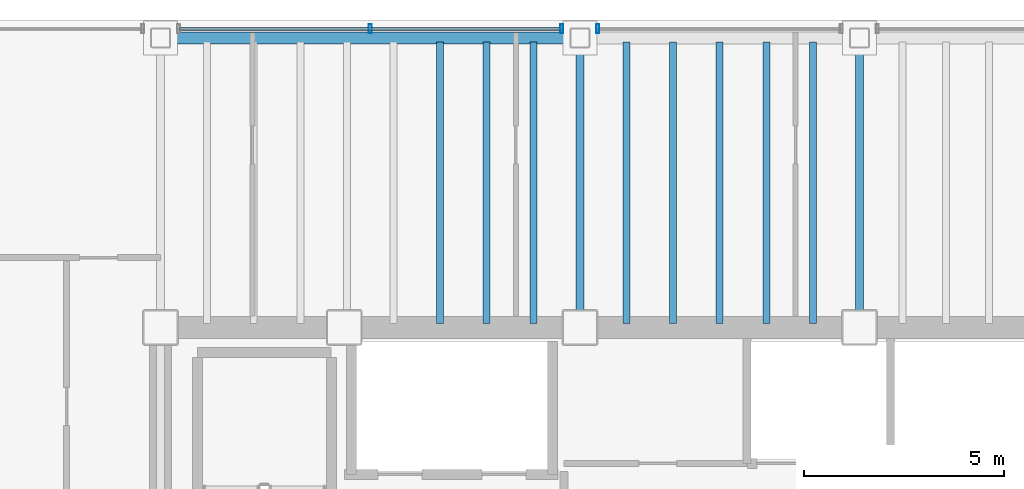
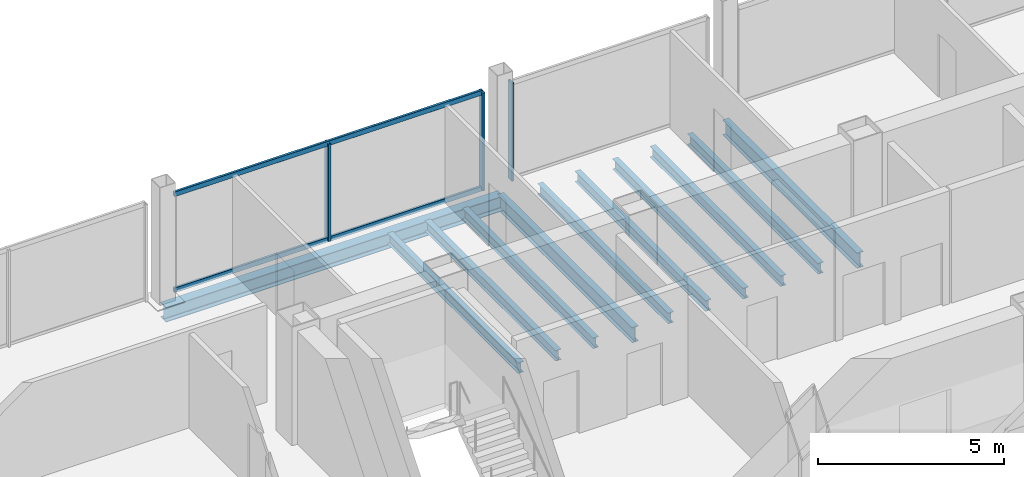
# One storey, part 9 of 19: 11 beams, 5 members, 2 elements without a shape of their own.
"""IFC4 building model written with IfcOpenShell, lengths in metres."""

from ifc_helpers import new_model, si_unit, direction, frame, origin, origin_2d, place, context, subcontext, project, spatial, hollow_rectangle, i_section, extrude, material, material_profile, profile_set, type_object, element, aggregate, save


model = new_model("IFC4")

# Units and contexts
model_context = context("Model", 3, precision=1e-05, world=origin(), true_north=direction((0.0, 1.0)))
body_context = subcontext(model_context, "Body", "Model", "MODEL_VIEW")
ifc_project = project(units=[si_unit("LENGTHUNIT", "METRE"), si_unit("AREAUNIT", "SQUARE_METRE"), si_unit("VOLUMEUNIT", "CUBIC_METRE"), si_unit("PLANEANGLEUNIT", "RADIAN"), si_unit("MASSUNIT", "GRAM", prefix="KILO")], contexts=[model_context])

# Site, building, storey
site_placement = place(None, origin())
site = spatial("IfcSite", under=ifc_project, at=site_placement, CompositionType="ELEMENT")
building_placement = place(site_placement, origin())
building = spatial("IfcBuilding", under=site, at=building_placement, Name="Noeulbin Bourse Tower", CompositionType="ELEMENT")
storey_placement = place(building_placement, frame((0.0, 0.0, 157.800048828125)))
storey = spatial("IfcBuildingStorey", under=building, at=storey_placement, Name="L39", CompositionType="ELEMENT", Elevation=157.800048828125)

# Beams
ifc_material_1 = material(Name="Steel S355", Category="steel")
ifc_material_profile_1 = material_profile(ifc_material_1, i_section(OverallWidth=0.199951171875, OverallDepth=0.5, WebThickness=0.010009765625, FlangeThickness=0.01611328125, FilletRadius=0.02001953125, at=origin_2d()), Name="H-500x200x10x16", Category="LoadBearing")
ifc_profile_set_1 = profile_set([ifc_material_profile_1], Name="Steel S355")
beam_type_1 = type_object("IfcBeamType", Name="BM-GRD-500", PredefinedType="USERDEFINED", material=ifc_profile_set_1)
for number, where, z_axis, x_axis, name in (
    (1, (24.0, 38.300048828125, -0.429931640625), (0.0, 1.0, 0.0), (-1.0, 0.0, 0.0), "Tower Primary Girder NS L39-2.4"),
    (2, (31.0, 38.300048828125, -0.429931640625), (0.0, 1.0, 0.0), (-1.0, 0.0, 0.0), "Tower Primary Girder NS L39-3.4"),
):
    element("IfcBeam", number, at=place(storey_placement, frame(where, z_axis=z_axis, x_axis=x_axis)), inside=storey, type_object=beam_type_1, Name=name, ObjectType="GIRDER", PredefinedType="USERDEFINED", context=body_context, shape_type="SweptSolid", body=[
        extrude(i_section(OverallWidth=0.199951171875, OverallDepth=0.5, WebThickness=0.010009765625, FlangeThickness=0.01611328125, FilletRadius=0.02001953125, at=origin_2d()), origin(), (0.0, 0.0, 1.0), 7.25),
    ])
ifc_material_profile_2 = material_profile(ifc_material_1, i_section(OverallWidth=0.175048828125, OverallDepth=0.35009765625, WebThickness=0.007080078125, FlangeThickness=0.010986328125, FilletRadius=0.013916015625, at=origin_2d()), Name="H-350x175x7x11", Category="LoadBearing")
ifc_profile_set_2 = profile_set([ifc_material_profile_2], Name="Steel S355")
beam_type_2 = type_object("IfcBeamType", Name="BM-JST-350", PredefinedType="JOIST", material=ifc_profile_set_2)
for number, where, z_axis, x_axis, name in (
    (3, (20.5, 38.39990234375, -0.35498046875), (0.0, 1.0, 0.0), (-1.0, 0.0, 0.0), "Tower Composite Joist L39-18"),
    (4, (21.666748046875, 38.39990234375, -0.35498046875), (0.0, 1.0, 0.0), (-1.0, 0.0, 0.0), "Tower Composite Joist L39-21"),
    (5, (22.833251953125, 38.39990234375, -0.35498046875), (0.0, 1.0, 0.0), (-1.0, 0.0, 0.0), "Tower Composite Joist L39-24"),
    (6, (25.166748046875, 38.39990234375, -0.35498046875), (0.0, 1.0, 0.0), (-1.0, 0.0, 0.0), "Tower Composite Joist L39-27"),
    (7, (26.333251953125, 38.39990234375, -0.35498046875), (0.0, 1.0, 0.0), (-1.0, 0.0, 0.0), "Tower Composite Joist L39-30"),
    (8, (27.5, 38.39990234375, -0.35498046875), (0.0, 1.0, 0.0), (-1.0, 0.0, 0.0), "Tower Composite Joist L39-33"),
    (9, (28.666748046875, 38.39990234375, -0.35498046875), (0.0, 1.0, 0.0), (-1.0, 0.0, 0.0), "Tower Composite Joist L39-36"),
    (10, (29.833251953125, 38.39990234375, -0.35498046875), (0.0, 1.0, 0.0), (-1.0, 0.0, 0.0), "Tower Composite Joist L39-39"),
):
    element("IfcBeam", number, at=place(storey_placement, frame(where, z_axis=z_axis, x_axis=x_axis)), inside=storey, type_object=beam_type_2, Name=name, PredefinedType="JOIST", context=body_context, shape_type="SweptSolid", body=[
        extrude(i_section(OverallWidth=0.175048828125, OverallDepth=0.35009765625, WebThickness=0.007080078125, FlangeThickness=0.010986328125, FilletRadius=0.013916015625, at=origin_2d()), origin(), (0.0, 0.0, 1.0), 7.050048828125),
    ])
ifc_material_profile_3 = material_profile(ifc_material_1, i_section(OverallWidth=0.300048828125, OverallDepth=0.488037109375, WebThickness=0.010986328125, FlangeThickness=0.01806640625, FilletRadius=0.02197265625, at=origin_2d()), Name="H-488x300x11x18", Category="LoadBearing")
ifc_profile_set_3 = profile_set([ifc_material_profile_3], Name="Steel S355")
beam_type_3 = type_object("IfcBeamType", Name="BM-SPN-488", PredefinedType="SPANDREL", material=ifc_profile_set_3)
beam_placement = place(storey_placement, frame((13.5, 45.550048828125, -0.424072265625), z_axis=(1.0, 0.0, 0.0), x_axis=(0.0, 1.0, 0.0)))
element("IfcBeam", 11, at=beam_placement, inside=storey, type_object=beam_type_3, Name="North Spandrel L39-1", PredefinedType="SPANDREL", context=body_context, shape_type="SweptSolid", body=[
    extrude(i_section(OverallWidth=0.300048828125, OverallDepth=0.488037109375, WebThickness=0.010986328125, FlangeThickness=0.01806640625, FilletRadius=0.02197265625, at=origin_2d()), origin(), (0.0, 0.0, 1.0), 10.5),
])

# Curtain wall, members
ifc_material_2 = material(Name="Dark Tinted Triple Glazing", Category="glass")
curtain_wall_type = type_object("IfcCurtainWallType", Name="CW-SYS-3", PredefinedType="NOTDEFINED", material=ifc_material_2)
curtain_wall_1_placement = place(storey_placement, origin())
curtain_wall_1 = element("IfcCurtainWall", 12, at=curtain_wall_1_placement, inside=storey, type_object=curtain_wall_type, Name="Unitised Curtain Wall CW-L39-N-S2", PredefinedType="NOTDEFINED")
ifc_material_3 = material(Name="Anodised Aluminium 6063-T6", Category="aluminium")
ifc_material_profile_4 = material_profile(ifc_material_3, hollow_rectangle(XDim=0.074951171875, YDim=0.219970703125, WallThickness=0.0048828125, InnerFilletRadius=0.00244140625, OuterFilletRadius=0.0048828125, at=origin_2d()), Name="ALU-MULL-75x220x5", Category="LoadBearing")
ifc_profile_set_4 = profile_set([ifc_material_profile_4], Name="Anodised Aluminium 6063-T6")
member_type_1 = type_object("IfcMemberType", Name="CW-SYS-3-MUL", PredefinedType="MULLION", material=ifc_profile_set_4)
member_1_placement = place(storey_placement, frame((18.75, 45.780029296875, -0.02001953125), z_axis=(0.0, 0.0, 1.0), x_axis=(1.0, 0.0, 0.0)))
member_1 = element("IfcMember", 13, at=member_1_placement, type_object=member_type_1, Name="Curtain Wall Mullion CW-L39-N-S2-M01", PredefinedType="MULLION", context=body_context, shape_type="SweptSolid", body=[
    extrude(hollow_rectangle(XDim=0.074951171875, YDim=0.219970703125, WallThickness=0.0048828125, InnerFilletRadius=0.00244140625, OuterFilletRadius=0.0048828125, at=origin_2d()), origin(), (0.0, 0.0, 1.0), 3.219970703125),
])
member_2_placement = place(storey_placement, frame((23.550048828125, 45.780029296875, -0.02001953125), z_axis=(0.0, 0.0, 1.0), x_axis=(1.0, 0.0, 0.0)))
member_2 = element("IfcMember", 14, at=member_2_placement, type_object=member_type_1, Name="Curtain Wall Mullion CW-L39-N-S2-M02", PredefinedType="MULLION", context=body_context, shape_type="SweptSolid", body=[
    extrude(hollow_rectangle(XDim=0.074951171875, YDim=0.219970703125, WallThickness=0.0048828125, InnerFilletRadius=0.00244140625, OuterFilletRadius=0.0048828125, at=origin_2d()), origin(), (0.0, 0.0, 1.0), 3.219970703125),
])

# Curtain wall, member
curtain_wall_2_placement = place(storey_placement, origin())
curtain_wall_2 = element("IfcCurtainWall", 15, at=curtain_wall_2_placement, inside=storey, type_object=curtain_wall_type, Name="Unitised Curtain Wall CW-L39-N-S3", PredefinedType="NOTDEFINED")
member_3_placement = place(storey_placement, frame((24.449951171875, 45.780029296875, -0.02001953125), z_axis=(0.0, 0.0, 1.0), x_axis=(1.0, 0.0, 0.0)))
member_3 = element("IfcMember", 16, at=member_3_placement, type_object=member_type_1, Name="Curtain Wall Mullion CW-L39-N-S3-M00", PredefinedType="MULLION", context=body_context, shape_type="SweptSolid", body=[
    extrude(hollow_rectangle(XDim=0.074951171875, YDim=0.219970703125, WallThickness=0.0048828125, InnerFilletRadius=0.00244140625, OuterFilletRadius=0.0048828125, at=origin_2d()), origin(), (0.0, 0.0, 1.0), 3.219970703125),
])
aggregate(curtain_wall_2, [member_3])

# Member
ifc_material_profile_5 = material_profile(ifc_material_3, hollow_rectangle(XDim=0.074951171875, YDim=0.159912109375, WallThickness=0.0048828125, InnerFilletRadius=0.00244140625, OuterFilletRadius=0.0048828125, at=origin_2d()), Name="ALU-TRAN-75x160x5", Category="LoadBearing")
ifc_profile_set_5 = profile_set([ifc_material_profile_5], Name="Anodised Aluminium 6063-T6")
member_type_2 = type_object("IfcMemberType", Name="CW-SYS-3-TRN", PredefinedType="USERDEFINED", material=ifc_profile_set_5)
member_4_placement = place(storey_placement, frame((13.9599609375, 45.780029296875, 0.010009765625), z_axis=(1.0, 0.0, 0.0), x_axis=(0.0, 1.0, 0.0)))
member_4 = element("IfcMember", 17, at=member_4_placement, type_object=member_type_2, Name="Curtain Wall Transom CW-L39-N-S2-T00", ObjectType="TRANSOM", PredefinedType="USERDEFINED", context=body_context, shape_type="SweptSolid", body=[
    extrude(hollow_rectangle(XDim=0.074951171875, YDim=0.159912109375, WallThickness=0.0048828125, InnerFilletRadius=0.00244140625, OuterFilletRadius=0.0048828125, at=origin_2d()), origin(), (0.0, 0.0, 1.0), 9.580078125),
])

member_5_placement = place(storey_placement, frame((13.9599609375, 45.780029296875, 3.169921875), z_axis=(1.0, 0.0, 0.0), x_axis=(0.0, 1.0, 0.0)))
member_5 = element("IfcMember", 18, at=member_5_placement, type_object=member_type_2, Name="Curtain Wall Transom CW-L39-N-S2-T01", ObjectType="TRANSOM", PredefinedType="USERDEFINED", context=body_context, shape_type="SweptSolid", body=[
    extrude(hollow_rectangle(XDim=0.074951171875, YDim=0.159912109375, WallThickness=0.0048828125, InnerFilletRadius=0.00244140625, OuterFilletRadius=0.0048828125, at=origin_2d()), origin(), (0.0, 0.0, 1.0), 9.580078125),
])

aggregate(curtain_wall_1, [member_1, member_2, member_4, member_5])

save(model, "model.ifc")
